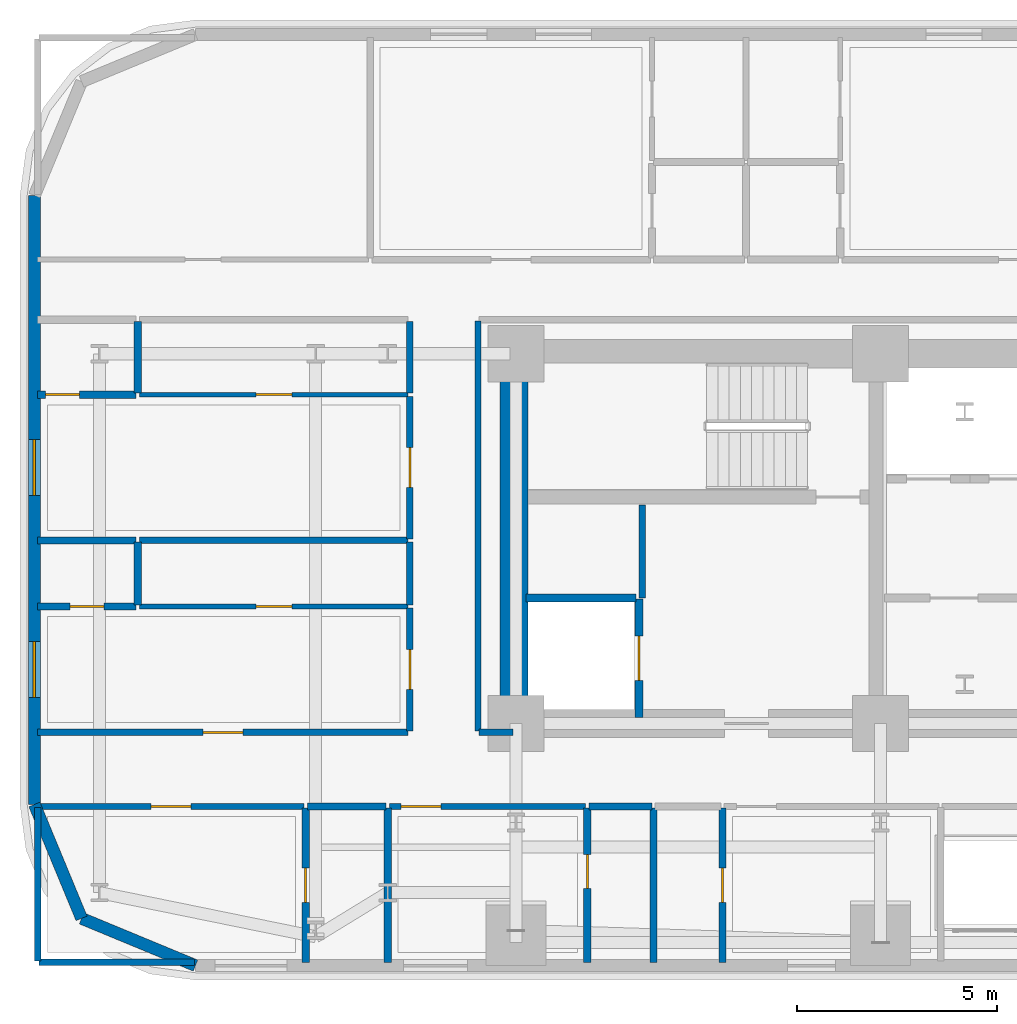
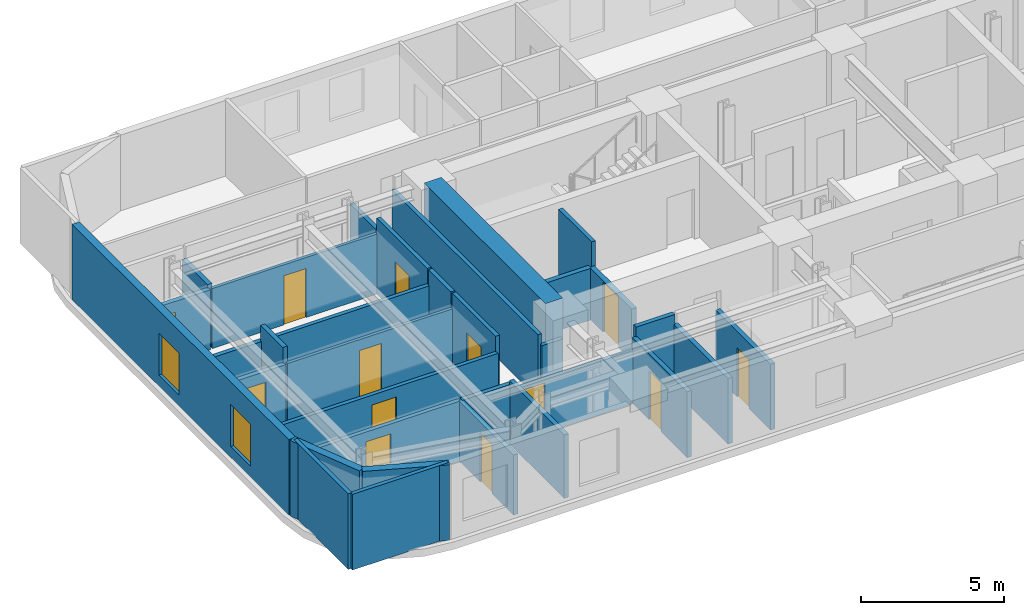
# One storey, part 7 of 16: 33 walls, 13 doors, 2 windows, 15 openings.
"""IFC4 building model written with IfcOpenShell, lengths in metres."""

import ifcopenshell
import ifcopenshell.guid

model = None  # the IFC model being written
_history = None  # IfcOwnerHistory: only IFC2X3 demands one
_inside = {}  # id of a spatial element -> (the spatial element, [elements in it])
_under = {}  # id of a project, library or spatial element -> (it, [spatial elements below it])
_declared = {}  # id of a project -> (the project, [libraries it declares])
_typed = {}  # id of a type object -> (the type object, [elements of that type])
_made_of = {}  # id of a material, layer set ... -> (it, [elements and type objects made of it])


def new_model(schema):
    """Start an empty IFC model of exactly this schema.

    Asked for "IFC4X3", IfcOpenShell would pick the latest addendum, in which some entities
    have other attributes; the version numbers below select the first issue.
    IFC2X3 requires an IfcOwnerHistory on every rooted entity: one is made here for all.
    """
    global model, _history
    if schema == "IFC4X3":
        model = ifcopenshell.file(schema_version=(4, 3, 0, 0))
    else:
        model = ifcopenshell.file(schema=schema)
    _inside.clear()
    _under.clear()
    _declared.clear()
    _typed.clear()
    _made_of.clear()
    _history = None
    if model.schema == "IFC2X3":
        org = make("IfcOrganization", Name="unknown")
        user = make(
            "IfcPersonAndOrganization",
            ThePerson=make("IfcPerson", FamilyName="unknown"),
            TheOrganization=org,
        )
        app = make(
            "IfcApplication",
            ApplicationDeveloper=org,
            Version="unknown",
            ApplicationFullName="unknown",
            ApplicationIdentifier="unknown",
        )
        _history = make(
            "IfcOwnerHistory",
            OwningUser=user,
            OwningApplication=app,
            ChangeAction="ADDED",
            CreationDate=0,
        )
    return model


def make(cls, **values):
    """One entity of the class cls with the attributes given. An attribute that is None is left unset."""
    return model.create_entity(
        cls, **{name: value for name, value in values.items() if value is not None}
    )


def rooted(cls, **values):
    """An entity with a GlobalId (a new one), such as an element, a storey or a relation."""
    return make(cls, GlobalId=ifcopenshell.guid.new(), OwnerHistory=_history, **values)


def si_unit(unit_type, name, prefix=None):
    """IfcSIUnit, for example si_unit("LENGTHUNIT", "METRE", prefix="MILLI")."""
    return make("IfcSIUnit", UnitType=unit_type, Prefix=prefix, Name=name)


def assignment(units):
    """IfcUnitAssignment: the units of a project."""
    return None if units is None else make("IfcUnitAssignment", Units=units)


def point(xyz):
    """IfcCartesianPoint."""
    return None if xyz is None else make("IfcCartesianPoint", Coordinates=xyz)


def direction(xyz):
    """IfcDirection."""
    return None if xyz is None else make("IfcDirection", DirectionRatios=xyz)


def frame(location, z_axis=None, x_axis=None):
    """IfcAxis2Placement3D, a coordinate frame: its origin and axes. An axis left out is left unset."""
    return make(
        "IfcAxis2Placement3D",
        Location=point(location),
        Axis=direction(z_axis),
        RefDirection=direction(x_axis),
    )


def frame_2d(location, x_axis=None):
    """IfcAxis2Placement2D, a coordinate frame in the plane: its origin and x axis."""
    return make(
        "IfcAxis2Placement2D", Location=point(location), RefDirection=direction(x_axis)
    )


def origin():
    """The frame at (0, 0, 0) with its axes left unset."""
    return frame((0.0, 0.0, 0.0))


def place(relative_to, where):
    """IfcLocalPlacement: puts the frame where relative to a parent placement (None: the world)."""
    return make(
        "IfcLocalPlacement", PlacementRelTo=relative_to, RelativePlacement=where
    )


def context(
    kind, dimensions, precision=None, world=None, true_north=None, identifier=None
):
    """IfcGeometricRepresentationContext, for example the 3D "Model" context."""
    return make(
        "IfcGeometricRepresentationContext",
        ContextIdentifier=identifier,
        ContextType=kind,
        CoordinateSpaceDimension=dimensions,
        Precision=precision,
        WorldCoordinateSystem=world,
        TrueNorth=true_north,
    )


def subcontext(parent, identifier, kind, view, scale=None):
    """IfcGeometricRepresentationSubContext, for example "Body" below "Model"."""
    return make(
        "IfcGeometricRepresentationSubContext",
        ContextIdentifier=identifier,
        ContextType=kind,
        ParentContext=parent,
        TargetScale=scale,
        TargetView=view,
    )


def project(units=None, contexts=None):
    """IfcProject with its units and contexts."""
    return rooted(
        "IfcProject",
        Name="project",
        RepresentationContexts=contexts,
        UnitsInContext=assignment(units),
    )


def spatial(cls, under=None, at=None, **own):
    """A site, building, storey or space (cls), placed at a placement, below another one or the project."""
    s = rooted(cls, ObjectPlacement=at, **own)
    if under is not None:
        _under.setdefault(under.id(), (under, []))[1].append(s)
    return s


def profile(cls, at=None, kind="AREA", **sizes):
    """A parametric profile (cls). Its sizes go by their IFC names, for example OverallWidth=200.0."""
    return make(cls, ProfileType=kind, Position=at, **sizes)


def rectangle(**sizes):
    """IfcRectangleProfileDef."""
    return profile("IfcRectangleProfileDef", **sizes)


def extrude(swept, where, along, depth):
    """IfcExtrudedAreaSolid: the profile swept, set in the frame where, extruded along a direction by depth."""
    return make(
        "IfcExtrudedAreaSolid",
        SweptArea=swept,
        Position=where,
        ExtrudedDirection=direction(along),
        Depth=depth,
    )


def shape(context_of_items, identifier, shape_type, items):
    """IfcShapeRepresentation: the items that make up one representation, for example the "Body"."""
    return make(
        "IfcShapeRepresentation",
        ContextOfItems=context_of_items,
        RepresentationIdentifier=identifier,
        RepresentationType=shape_type,
        Items=items,
    )


def material(Name=None, Category=None):
    """IfcMaterial."""
    return make("IfcMaterial", Name=Name, Category=Category)


def layer(
    of_material, thickness, ventilated=None, Name=None, Category=None, Priority=None
):
    """IfcMaterialLayer: one layer of a wall or slab, of a material (None: an air gap)."""
    return make(
        "IfcMaterialLayer",
        Material=of_material,
        LayerThickness=thickness,
        IsVentilated=ventilated,
        Name=Name,
        Category=Category,
        Priority=Priority,
    )


def layer_set(layers, Name=None):
    """IfcMaterialLayerSet."""
    return make("IfcMaterialLayerSet", MaterialLayers=layers, LayerSetName=Name)


def made_of(thing, what):
    """Note that an element or type object is made of a material, layer set ...; save() writes the relation."""
    if what is not None:
        _made_of.setdefault(what.id(), (what, []))[1].append(thing)
    return thing


def type_object(cls, material=None, **own):
    """A type object (cls), such as IfcWallType, which elements share."""
    return made_of(rooted(cls, **own), material)


def element(
    cls,
    number,
    at=None,
    inside=None,
    cuts=None,
    type_object=None,
    material=None,
    context=None,
    identifier="Body",
    shape_type=None,
    held_by="IfcProductDefinitionShape",
    body=None,
    shapes=None,
    **own,
):
    """One element of the class cls, such as IfcWall. Its Tag is "e" and its number.

    at: its placement. inside: the storey or other place that contains it. cuts: it is an
    opening in that element (IfcRelVoidsElement). A single representation is given by context,
    identifier, shape_type and body (its items); several are given by shapes. held_by: the class
    of the entity that holds the representations. save() writes the other relations.
    """
    e = rooted(cls, Tag="e%d" % number, ObjectPlacement=at, **own)
    if body is not None:
        shapes = [shape(context, identifier, shape_type, body)]
    if shapes is not None:
        e.Representation = make(held_by, Representations=shapes)
    if inside is not None:
        _inside.setdefault(inside.id(), (inside, []))[1].append(e)
    if cuts is not None:
        rooted(
            "IfcRelVoidsElement", RelatingBuildingElement=cuts, RelatedOpeningElement=e
        )
    if type_object is not None:
        _typed.setdefault(type_object.id(), (type_object, []))[1].append(e)
    return made_of(e, material)


def fill(opening, filler):
    """IfcRelFillsElement: the door or window that sits in an opening."""
    return rooted(
        "IfcRelFillsElement",
        RelatingOpeningElement=opening,
        RelatedBuildingElement=filler,
    )


def aggregate(whole, parts):
    """IfcRelAggregates: a whole, such as a stair, and the parts it consists of."""
    return rooted("IfcRelAggregates", RelatingObject=whole, RelatedObjects=parts)


def save(model, path):
    """Write the relations noted so far, then the file.

    IfcRelAggregates (storeys below a building ...), IfcRelContainedInSpatialStructure (elements
    in a storey), IfcRelDefinesByType, IfcRelAssociatesMaterial and IfcRelDeclares: one each for
    every whole, place, type object, material and project.
    """
    for whole, parts in _under.values():
        aggregate(whole, parts)
    for where, things in _inside.values():
        rooted(
            "IfcRelContainedInSpatialStructure",
            RelatedElements=things,
            RelatingStructure=where,
        )
    for kind, things in _typed.values():
        rooted("IfcRelDefinesByType", RelatedObjects=things, RelatingType=kind)
    for what, things in _made_of.values():
        rooted("IfcRelAssociatesMaterial", RelatedObjects=things, RelatingMaterial=what)
    for by, libraries in _declared.values():
        rooted("IfcRelDeclares", RelatingContext=by, RelatedDefinitions=libraries)
    model.write(path)


model = new_model("IFC4")

# Units and contexts
model_context = context("Model", 3, precision=1e-05, world=origin(), true_north=direction((0.0, 1.0)))
body_context = subcontext(model_context, "Body", "Model", "MODEL_VIEW")
ifc_project = project(units=[si_unit("LENGTHUNIT", "METRE"), si_unit("AREAUNIT", "SQUARE_METRE"), si_unit("VOLUMEUNIT", "CUBIC_METRE"), si_unit("PLANEANGLEUNIT", "RADIAN"), si_unit("MASSUNIT", "GRAM", prefix="KILO")], contexts=[model_context])

# Site, building, storey
site_placement = place(None, origin())
site = spatial("IfcSite", under=ifc_project, at=site_placement, CompositionType="ELEMENT")
building_placement = place(site_placement, origin())
building = spatial("IfcBuilding", under=site, at=building_placement, Name="Zarnavel Station Tower", CompositionType="ELEMENT")
storey_placement = place(building_placement, frame((0.0, 0.0, 39.5)))
storey = spatial("IfcBuildingStorey", under=building, at=storey_placement, Name="L10", CompositionType="ELEMENT", Elevation=39.5)

# Wall
ifc_material_1 = material(Name="Concrete C60/75", Category="concrete")
ifc_layer_1 = layer(ifc_material_1, 0.699951171875)
ifc_layer_set_1 = layer_set([ifc_layer_1], Name="CW_700")
wall_type_1 = type_object("IfcWallType", Name="CW_700", PredefinedType="SHEAR", material=ifc_layer_set_1)
wall_1_placement = place(storey_placement, frame((12.14990234375, 28.169921875, 0.0), z_axis=(0.0, 0.0, 1.0), x_axis=(0.0, 1.0, 0.0)))
element("IfcWall", 1, at=wall_1_placement, inside=storey, type_object=wall_type_1, Name="L10 Rear Core Shear Wall W", PredefinedType="SHEAR", context=body_context, shape_type="SweptSolid", body=[
    extrude(rectangle(XDim=8.530029296875, YDim=0.699951171875, at=frame_2d((4.26513671875, 0.0))), origin(), (0.0, 0.0, 1.0), 3.5),
])

# Wall, openings, windows
ifc_material_2 = material(Name="Precast concrete C45/55 (Dark Basalt Finish)", Category="masonry")
ifc_layer_2 = layer(ifc_material_2, 0.300048828125)
ifc_layer_set_2 = layer_set([ifc_layer_2], Name="EW_BASALT_300")
wall_type_2 = type_object("IfcWallType", Name="EW_BASALT_300", PredefinedType="SOLIDWALL", material=ifc_layer_set_2)
wall_2_placement = place(storey_placement, frame((0.179931640625, 25.800048828125, 0.0), z_axis=(0.0, 0.0, 1.0), x_axis=(0.0, 1.0, 0.0)))
wall_2 = element("IfcWall", 2, at=wall_2_placement, inside=storey, type_object=wall_type_2, Name="L10 Exterior Basalt Masonry Frame Wall 09", PredefinedType="SOLIDWALL", context=body_context, shape_type="SweptSolid", body=[
    extrude(rectangle(XDim=15.199951171875, YDim=0.300048828125, at=frame_2d((7.60009765625, 0.0))), origin(), (0.0, 0.0, 1.0), 3.239990234375),
])
opening_1_placement = place(wall_2_placement, frame((2.67041015625, 0.0, 0.47998046875)))
opening_1 = element("IfcOpeningElement", 3, at=opening_1_placement, cuts=wall_2, Name="Opening WN01", PredefinedType="OPENING", context=body_context, shape_type="SweptSolid", body=[
    extrude(rectangle(XDim=1.39990234375, YDim=1.800048828125, at=frame_2d((0.699951171875, 0.89990234375))), frame((0.0, 0.159912109375, 0.0), z_axis=(0.0, -1.0, 0.0), x_axis=(1.0, 0.0, 0.0)), (0.0, 0.0, 1.0), 0.320068359375),
])
opening_2_placement = place(wall_2_placement, frame((7.708984375, 0.0, 0.47998046875)))
opening_2 = element("IfcOpeningElement", 4, at=opening_2_placement, cuts=wall_2, Name="Opening WN01", PredefinedType="OPENING", context=body_context, shape_type="SweptSolid", body=[
    extrude(rectangle(XDim=1.39990234375, YDim=1.800048828125, at=frame_2d((0.699951171875, 0.89990234375))), frame((0.0, 0.159912109375, 0.0), z_axis=(0.0, -1.0, 0.0), x_axis=(1.0, 0.0, 0.0)), (0.0, 0.0, 1.0), 0.320068359375),
])
ifc_material_3 = material(Name="Thermally Broken Black Aluminium and Low-E Dark Glass", Category="aluminium")
window_type = type_object("IfcWindowType", Name="WN_1400x1800", PartitioningType="DOUBLE_PANEL_VERTICAL", PredefinedType="WINDOW", material=ifc_material_3)
window_1_placement = place(opening_1_placement, origin())
window_1 = element("IfcWindow", 5, at=window_1_placement, inside=storey, type_object=window_type, Name="L10 Recessed Facade Window 01", OverallHeight=1.800048828125, OverallWidth=1.39990234375, PartitioningType="SINGLE_PANEL", PredefinedType="WINDOW", context=body_context, shape_type="SweptSolid", body=[
    extrude(rectangle(XDim=1.39990234375, YDim=1.800048828125, at=frame_2d((0.699951171875, 0.89990234375))), frame((0.0, 0.030029296875, 0.0), z_axis=(0.0, -1.0, 0.0), x_axis=(1.0, 0.0, 0.0)), (0.0, 0.0, 1.0), 0.06005859375),
])
fill(opening_1, window_1)
window_2_placement = place(opening_2_placement, origin())
window_2 = element("IfcWindow", 6, at=window_2_placement, inside=storey, type_object=window_type, Name="L10 Recessed Facade Window 02", OverallHeight=1.800048828125, OverallWidth=1.39990234375, PartitioningType="SINGLE_PANEL", PredefinedType="WINDOW", context=body_context, shape_type="SweptSolid", body=[
    extrude(rectangle(XDim=1.39990234375, YDim=1.800048828125, at=frame_2d((0.699951171875, 0.89990234375))), frame((0.0, 0.030029296875, 0.0), z_axis=(0.0, -1.0, 0.0), x_axis=(1.0, 0.0, 0.0)), (0.0, 0.0, 1.0), 0.06005859375),
])
fill(opening_2, window_2)

# Walls
for number, where, z_axis, x_axis, name in (
    (7, (1.357421875, 22.95751953125, 0.0), (0.0, 0.0, 1.0), (-0.382704529509, 0.923870793506, 0.0), "L10 Exterior Basalt Masonry Frame Wall 10"),
    (8, (4.199951171875, 21.780029296875, 0.0), (0.0, 0.0, 1.0), (-0.923870793506, 0.382704529509, 0.0), "L10 Exterior Basalt Masonry Frame Wall 11"),
):
    element("IfcWall", number, at=place(storey_placement, frame(where, z_axis=z_axis, x_axis=x_axis)), inside=storey, type_object=wall_type_2, Name=name, PredefinedType="SOLIDWALL", context=body_context, shape_type="SweptSolid", body=[
        extrude(rectangle(XDim=3.07666015625, YDim=0.300048828125, at=frame_2d((1.538330078125, 0.0))), origin(), (0.0, 0.0, 1.0), 3.239990234375),
    ])

# Wall, opening, door
ifc_material_4 = material(Name="Gypsum Twin-Stud Acoustic Fire Partition", Category="concrete")
ifc_layer_3 = layer(ifc_material_4, 0.159912109375)
ifc_layer_set_3 = layer_set([ifc_layer_3], Name="PT_DEMISE_160")
wall_type_3 = type_object("IfcWallType", Name="PT_DEMISE_160", PredefinedType="PARTITIONING", material=ifc_layer_set_3)
wall_3_placement = place(storey_placement, frame((0.260009765625, 27.60009765625, 0.0), z_axis=(0.0, 0.0, 1.0), x_axis=(1.0, 0.0, 0.0)))
wall_3 = element("IfcWall", 9, at=wall_3_placement, inside=storey, type_object=wall_type_3, Name="L10 Partition COR-S-FNW1R", PredefinedType="PARTITIONING", context=body_context, shape_type="SweptSolid", body=[
    extrude(rectangle(XDim=9.25, YDim=0.159912109375, at=frame_2d((4.625, 0.0))), origin(), (0.0, 0.0, 1.0), 2.570068359375),
])
opening_3_placement = place(wall_3_placement, frame((4.125, 0.0, 0.0)))
opening_3 = element("IfcOpeningElement", 10, at=opening_3_placement, cuts=wall_3, Name="Opening FD02", PredefinedType="OPENING", context=body_context, shape_type="SweptSolid", body=[
    extrude(rectangle(XDim=1.0, YDim=2.14990234375, at=frame_2d((0.5, 1.074951171875))), frame((0.0, 0.08984375, 0.0), z_axis=(0.0, -1.0, 0.0), x_axis=(1.0, 0.0, 0.0)), (0.0, 0.0, 1.0), 0.179931640625),
])
ifc_material_5 = material(Name="Painted Galvanised Steel and Hardwood Leaf", Category="steel")
door_type_1 = type_object("IfcDoorType", Name="ID_ENTRY_1000", OperationType="NOTDEFINED", PredefinedType="DOOR", material=ifc_material_5)
door_1_placement = place(opening_3_placement, origin())
door_1 = element("IfcDoor", 11, at=door_1_placement, inside=storey, type_object=door_type_1, Name="L10 Door COR-S-FNW1R", OperationType="SINGLE_SWING_LEFT", OverallHeight=2.14990234375, OverallWidth=1.0, PredefinedType="DOOR", context=body_context, shape_type="SweptSolid", body=[
    extrude(rectangle(XDim=1.0, YDim=2.14990234375, at=frame_2d((0.5, 1.074951171875))), frame((0.0, 0.02490234375, 0.0), z_axis=(0.0, -1.0, 0.0), x_axis=(1.0, 0.0, 0.0)), (0.0, 0.0, 1.0), 0.050048828125),
])
fill(opening_3, door_1)

wall_4_placement = place(storey_placement, frame((0.260009765625, 25.75, 0.0), z_axis=(0.0, 0.0, 1.0), x_axis=(1.0, 0.0, 0.0)))
wall_4 = element("IfcWall", 12, at=wall_4_placement, inside=storey, type_object=wall_type_3, Name="L10 Partition COR-S-HW1R", PredefinedType="PARTITIONING", context=body_context, shape_type="SweptSolid", body=[
    extrude(rectangle(XDim=6.64990234375, YDim=0.159912109375, at=frame_2d((3.324951171875, 0.0))), origin(), (0.0, 0.0, 1.0), 2.570068359375),
])
opening_4_placement = place(wall_4_placement, frame((2.824951171875, 0.0, 0.0)))
opening_4 = element("IfcOpeningElement", 13, at=opening_4_placement, cuts=wall_4, Name="Opening FD02", PredefinedType="OPENING", context=body_context, shape_type="SweptSolid", body=[
    extrude(rectangle(XDim=1.0, YDim=2.14990234375, at=frame_2d((0.5, 1.074951171875))), frame((0.0, 0.08984375, 0.0), z_axis=(0.0, -1.0, 0.0), x_axis=(1.0, 0.0, 0.0)), (0.0, 0.0, 1.0), 0.179931640625),
])
door_2_placement = place(opening_4_placement, origin())
door_2 = element("IfcDoor", 14, at=door_2_placement, inside=storey, type_object=door_type_1, Name="L10 Door COR-S-HW1R", OperationType="SINGLE_SWING_LEFT", OverallHeight=2.14990234375, OverallWidth=1.0, PredefinedType="DOOR", context=body_context, shape_type="SweptSolid", body=[
    extrude(rectangle(XDim=1.0, YDim=2.14990234375, at=frame_2d((0.5, 1.074951171875))), frame((0.0, 0.02490234375, 0.0), z_axis=(0.0, -1.0, 0.0), x_axis=(1.0, 0.0, 0.0)), (0.0, 0.0, 1.0), 0.050048828125),
])
fill(opening_4, door_2)

wall_5_placement = place(storey_placement, frame((9.0400390625, 25.75, 0.0), z_axis=(0.0, 0.0, 1.0), x_axis=(1.0, 0.0, 0.0)))
wall_5 = element("IfcWall", 15, at=wall_5_placement, inside=storey, type_object=wall_type_3, Name="L10 Partition COR-S-HW2R", PredefinedType="PARTITIONING", context=body_context, shape_type="SweptSolid", body=[
    extrude(rectangle(XDim=4.89892578125, YDim=0.159912109375, at=frame_2d((2.449462890625, 0.0))), origin(), (0.0, 0.0, 1.0), 2.280029296875),
])
opening_5_placement = place(wall_5_placement, frame((0.290771484375, 0.0, 0.0)))
opening_5 = element("IfcOpeningElement", 16, at=opening_5_placement, cuts=wall_5, Name="Opening FD02", PredefinedType="OPENING", context=body_context, shape_type="SweptSolid", body=[
    extrude(rectangle(XDim=1.0, YDim=2.14990234375, at=frame_2d((0.5, 1.074951171875))), frame((0.0, 0.08984375, 0.0), z_axis=(0.0, -1.0, 0.0), x_axis=(1.0, 0.0, 0.0)), (0.0, 0.0, 1.0), 0.179931640625),
])
door_3_placement = place(opening_5_placement, origin())
door_3 = element("IfcDoor", 17, at=door_3_placement, inside=storey, type_object=door_type_1, Name="L10 Door COR-S-HW2R", OperationType="SINGLE_SWING_RIGHT", OverallHeight=2.14990234375, OverallWidth=1.0, PredefinedType="DOOR", context=body_context, shape_type="SweptSolid", body=[
    extrude(rectangle(XDim=1.0, YDim=2.14990234375, at=frame_2d((0.5, 1.074951171875))), frame((0.0, 0.02490234375, 0.0), z_axis=(0.0, -1.0, 0.0), x_axis=(1.0, 0.0, 0.0)), (0.0, 0.0, 1.0), 0.050048828125),
])
fill(opening_5, door_3)

wall_6_placement = place(storey_placement, frame((9.550048828125, 27.639892578125, 0.0), z_axis=(0.0, 0.0, 1.0), x_axis=(0.0, 1.0, 0.0)))
wall_6 = element("IfcWall", 18, at=wall_6_placement, inside=storey, type_object=wall_type_3, Name="L10 Partition COR-W-FNW1R", PredefinedType="PARTITIONING", context=body_context, shape_type="SweptSolid", body=[
    extrude(rectangle(XDim=3.06103515625, YDim=0.159912109375, at=frame_2d((1.530517578125, 0.0))), origin(), (0.0, 0.0, 1.0), 3.239990234375),
])
opening_6_placement = place(wall_6_placement, frame((1.030517578125, 0.0, 0.0)))
opening_6 = element("IfcOpeningElement", 19, at=opening_6_placement, cuts=wall_6, Name="Opening FD02", PredefinedType="OPENING", context=body_context, shape_type="SweptSolid", body=[
    extrude(rectangle(XDim=1.0, YDim=2.14990234375, at=frame_2d((0.5, 1.074951171875))), frame((0.0, 0.08984375, 0.0), z_axis=(0.0, -1.0, 0.0), x_axis=(1.0, 0.0, 0.0)), (0.0, 0.0, 1.0), 0.179931640625),
])
door_4_placement = place(opening_6_placement, origin())
door_4 = element("IfcDoor", 20, at=door_4_placement, inside=storey, type_object=door_type_1, Name="L10 Door COR-W-FNW1R", OperationType="SINGLE_SWING_LEFT", OverallHeight=2.14990234375, OverallWidth=1.0, PredefinedType="DOOR", context=body_context, shape_type="SweptSolid", body=[
    extrude(rectangle(XDim=1.0, YDim=2.14990234375, at=frame_2d((0.5, 1.074951171875))), frame((0.0, 0.02490234375, 0.0), z_axis=(0.0, -1.0, 0.0), x_axis=(1.0, 0.0, 0.0)), (0.0, 0.0, 1.0), 0.050048828125),
])
fill(opening_6, door_4)

# Wall
wall_7_placement = place(storey_placement, frame((9.550048828125, 30.781005859375, 0.0), z_axis=(0.0, 0.0, 1.0), x_axis=(0.0, 1.0, 0.0)))
element("IfcWall", 21, at=wall_7_placement, inside=storey, type_object=wall_type_3, Name="L10 Partition COR-W-FNW1S", PredefinedType="PARTITIONING", context=body_context, shape_type="SweptSolid", body=[
    extrude(rectangle(XDim=1.570068359375, YDim=0.159912109375, at=frame_2d((0.78515625, 0.0))), origin(), (0.0, 0.0, 1.0), 3.239990234375),
])

# Wall, opening, door
wall_8_placement = place(storey_placement, frame((9.550048828125, 32.430908203125, 0.0), z_axis=(0.0, 0.0, 1.0), x_axis=(0.0, 1.0, 0.0)))
wall_8 = element("IfcWall", 22, at=wall_8_placement, inside=storey, type_object=wall_type_3, Name="L10 Partition COR-W-FNW2R", PredefinedType="PARTITIONING", context=body_context, shape_type="SweptSolid", body=[
    extrude(rectangle(XDim=3.55615234375, YDim=0.159912109375, at=frame_2d((1.778076171875, 0.0))), origin(), (0.0, 0.0, 1.0), 3.239990234375),
])
opening_7_placement = place(wall_8_placement, frame((1.278076171875, 0.0, 0.0)))
opening_7 = element("IfcOpeningElement", 23, at=opening_7_placement, cuts=wall_8, Name="Opening FD02", PredefinedType="OPENING", context=body_context, shape_type="SweptSolid", body=[
    extrude(rectangle(XDim=1.0, YDim=2.14990234375, at=frame_2d((0.5, 1.074951171875))), frame((0.0, 0.08984375, 0.0), z_axis=(0.0, -1.0, 0.0), x_axis=(1.0, 0.0, 0.0)), (0.0, 0.0, 1.0), 0.179931640625),
])
door_5_placement = place(opening_7_placement, origin())
door_5 = element("IfcDoor", 24, at=door_5_placement, inside=storey, type_object=door_type_1, Name="L10 Door COR-W-FNW2R", OperationType="SINGLE_SWING_RIGHT", OverallHeight=2.14990234375, OverallWidth=1.0, PredefinedType="DOOR", context=body_context, shape_type="SweptSolid", body=[
    extrude(rectangle(XDim=1.0, YDim=2.14990234375, at=frame_2d((0.5, 1.074951171875))), frame((0.0, 0.02490234375, 0.0), z_axis=(0.0, -1.0, 0.0), x_axis=(1.0, 0.0, 0.0)), (0.0, 0.0, 1.0), 0.050048828125),
])
fill(opening_7, door_5)

# Walls
wall_9_placement = place(storey_placement, frame((9.550048828125, 36.06689453125, 0.0), z_axis=(0.0, 0.0, 1.0), x_axis=(0.0, 1.0, 0.0)))
element("IfcWall", 25, at=wall_9_placement, inside=storey, type_object=wall_type_3, Name="L10 Partition COR-W-FNW2S", PredefinedType="PARTITIONING", context=body_context, shape_type="SweptSolid", body=[
    extrude(rectangle(XDim=1.793212890625, YDim=0.159912109375, at=frame_2d((0.896484375, 0.0))), origin(), (0.0, 0.0, 1.0), 2.719970703125),
])
wall_10_placement = place(storey_placement, frame((2.800048828125, 32.39111328125, 0.0), z_axis=(0.0, 0.0, 1.0), x_axis=(1.0, 0.0, 0.0)))
element("IfcWall", 26, at=wall_10_placement, inside=storey, type_object=wall_type_3, Name="L10 Partition FNW1S-FNW2R", PredefinedType="PARTITIONING", context=body_context, shape_type="SweptSolid", body=[
    extrude(rectangle(XDim=6.7099609375, YDim=0.159912109375, at=frame_2d((3.35498046875, 0.0))), origin(), (0.0, 0.0, 1.0), 2.570068359375),
])
wall_11_placement = place(storey_placement, frame((15.35009765625, 30.9599609375, 0.0), z_axis=(0.0, 0.0, 1.0), x_axis=(0.0, 1.0, 0.0)))
element("IfcWall", 27, at=wall_11_placement, inside=storey, type_object=wall_type_3, Name="L10 Enclosure Wall FFL1", PredefinedType="PARTITIONING", context=body_context, shape_type="SweptSolid", body=[
    extrude(rectangle(XDim=2.31005859375, YDim=0.159912109375, at=frame_2d((1.155029296875, 0.0))), origin(), (0.0, 0.0, 1.0), 3.239990234375),
])
wall_12_placement = place(storey_placement, frame((11.280029296875, 27.60009765625, 0.0), z_axis=(0.0, 0.0, 1.0), x_axis=(1.0, 0.0, 0.0)))
element("IfcWall", 28, at=wall_12_placement, inside=storey, type_object=wall_type_3, Name="L10 Enclosure Wall COR-S", PredefinedType="PARTITIONING", context=body_context, shape_type="SweptSolid", body=[
    extrude(rectangle(XDim=0.840087890625, YDim=0.159912109375, at=frame_2d((0.419921875, 0.0))), origin(), (0.0, 0.0, 1.0), 2.280029296875),
])
wall_13_placement = place(storey_placement, frame((11.25, 27.6298828125, 0.0), z_axis=(0.0, 0.0, 1.0), x_axis=(0.0, 1.0, 0.0)))
element("IfcWall", 29, at=wall_13_placement, inside=storey, type_object=wall_type_3, Name="L10 Enclosure Wall COR-W", PredefinedType="PARTITIONING", context=body_context, shape_type="SweptSolid", body=[
    extrude(rectangle(XDim=10.240234375, YDim=0.159912109375, at=frame_2d((5.1201171875, 0.0))), origin(), (0.0, 0.0, 1.0), 2.719970703125),
])
wall_14_placement = place(storey_placement, frame((0.2900390625, 21.860107421875, 0.0), z_axis=(0.0, 0.0, 1.0), x_axis=(1.0, 0.0, 0.0)))
element("IfcWall", 30, at=wall_14_placement, inside=storey, type_object=wall_type_3, Name="L10 Enclosure Wall HW1R", PredefinedType="PARTITIONING", context=body_context, shape_type="SweptSolid", body=[
    extrude(rectangle(XDim=3.8798828125, YDim=0.159912109375, at=frame_2d((1.93994140625, 0.0))), origin(), (0.0, 0.0, 1.0), 3.239990234375),
])
wall_15_placement = place(storey_placement, frame((0.260009765625, 21.889892578125, 0.0), z_axis=(0.0, 0.0, 1.0), x_axis=(0.0, 1.0, 0.0)))
element("IfcWall", 31, at=wall_15_placement, inside=storey, type_object=wall_type_3, Name="L10 Enclosure Wall HW1R", PredefinedType="PARTITIONING", context=body_context, shape_type="SweptSolid", body=[
    extrude(rectangle(XDim=3.830078125, YDim=0.159912109375, at=frame_2d((1.9150390625, 0.0))), origin(), (0.0, 0.0, 1.0), 3.239990234375),
])

# Wall, opening, door
ifc_material_6 = material(Name="Gypsum Metal-Stud Interior Partition", Category="concrete")
ifc_layer_4 = layer(ifc_material_6, 0.1201171875)
ifc_layer_set_4 = layer_set([ifc_layer_4], Name="PT_ROOM_120")
wall_type_4 = type_object("IfcWallType", Name="PT_ROOM_120", PredefinedType="PARTITIONING", material=ifc_layer_set_4)
wall_16_placement = place(storey_placement, frame((2.800048828125, 30.740966796875, 0.0), z_axis=(0.0, 0.0, 1.0), x_axis=(1.0, 0.0, 0.0)))
wall_16 = element("IfcWall", 32, at=wall_16_placement, inside=storey, type_object=wall_type_4, Name="L10 Partition FNW1R-FNW1S", PredefinedType="PARTITIONING", context=body_context, shape_type="SweptSolid", body=[
    extrude(rectangle(XDim=6.7099609375, YDim=0.1201171875, at=frame_2d((3.35498046875, 0.0))), origin(), (0.0, 0.0, 1.0), 2.570068359375),
])
opening_8_placement = place(wall_16_placement, frame((2.905029296875, 0.0, 0.0)))
opening_8 = element("IfcOpeningElement", 33, at=opening_8_placement, cuts=wall_16, Name="Opening ID01", PredefinedType="OPENING", context=body_context, shape_type="SweptSolid", body=[
    extrude(rectangle(XDim=0.89990234375, YDim=2.10009765625, at=frame_2d((0.449951171875, 1.050048828125))), frame((0.0, 0.070068359375, 0.0), z_axis=(0.0, -1.0, 0.0), x_axis=(1.0, 0.0, 0.0)), (0.0, 0.0, 1.0), 0.14013671875),
])
ifc_material_7 = material(Name="Painted Galvanised Steel and Hardwood Leaf", Category="steel")
door_type_2 = type_object("IfcDoorType", Name="ID_ROOM_900", OperationType="NOTDEFINED", PredefinedType="DOOR", material=ifc_material_7)
door_6_placement = place(opening_8_placement, origin())
door_6 = element("IfcDoor", 34, at=door_6_placement, inside=storey, type_object=door_type_2, Name="L10 Door FNW1R-FNW1S", OperationType="SINGLE_SWING_RIGHT", OverallHeight=2.10009765625, OverallWidth=0.89990234375, PredefinedType="DOOR", context=body_context, shape_type="SweptSolid", body=[
    extrude(rectangle(XDim=0.89990234375, YDim=2.10009765625, at=frame_2d((0.449951171875, 1.050048828125))), frame((0.0, 0.02490234375, 0.0), z_axis=(0.0, -1.0, 0.0), x_axis=(1.0, 0.0, 0.0)), (0.0, 0.0, 1.0), 0.050048828125),
])
fill(opening_8, door_6)

wall_17_placement = place(storey_placement, frame((2.800048828125, 36.027099609375, 0.0), z_axis=(0.0, 0.0, 1.0), x_axis=(1.0, 0.0, 0.0)))
wall_17 = element("IfcWall", 35, at=wall_17_placement, inside=storey, type_object=wall_type_4, Name="L10 Partition FNW2R-FNW2S", PredefinedType="PARTITIONING", context=body_context, shape_type="SweptSolid", body=[
    extrude(rectangle(XDim=6.7099609375, YDim=0.1201171875, at=frame_2d((3.35498046875, 0.0))), origin(), (0.0, 0.0, 1.0), 2.570068359375),
])
opening_9_placement = place(wall_17_placement, frame((2.905029296875, 0.0, 0.0)))
opening_9 = element("IfcOpeningElement", 36, at=opening_9_placement, cuts=wall_17, Name="Opening ID01", PredefinedType="OPENING", context=body_context, shape_type="SweptSolid", body=[
    extrude(rectangle(XDim=0.89990234375, YDim=2.10009765625, at=frame_2d((0.449951171875, 1.050048828125))), frame((0.0, 0.070068359375, 0.0), z_axis=(0.0, -1.0, 0.0), x_axis=(1.0, 0.0, 0.0)), (0.0, 0.0, 1.0), 0.14013671875),
])
door_7_placement = place(opening_9_placement, origin())
door_7 = element("IfcDoor", 37, at=door_7_placement, inside=storey, type_object=door_type_2, Name="L10 Door FNW2R-FNW2S", OperationType="SINGLE_SWING_RIGHT", OverallHeight=2.10009765625, OverallWidth=0.89990234375, PredefinedType="DOOR", context=body_context, shape_type="SweptSolid", body=[
    extrude(rectangle(XDim=0.89990234375, YDim=2.10009765625, at=frame_2d((0.449951171875, 1.050048828125))), frame((0.0, 0.02490234375, 0.0), z_axis=(0.0, -1.0, 0.0), x_axis=(1.0, 0.0, 0.0)), (0.0, 0.0, 1.0), 0.050048828125),
])
fill(opening_9, door_7)

ifc_material_8 = material(Name="Precast concrete C45/55 (Fire Shaft Blockwork)", Category="masonry")
ifc_layer_5 = layer(ifc_material_8, 0.199951171875)
ifc_layer_set_5 = layer_set([ifc_layer_5], Name="PT_SHAFT_200")
wall_type_5 = type_object("IfcWallType", Name="PT_SHAFT_200", PredefinedType="PARTITIONING", material=ifc_layer_set_5)
wall_18_placement = place(storey_placement, frame((15.27001953125, 27.969970703125, 0.0), z_axis=(0.0, 0.0, 1.0), x_axis=(0.0, 1.0, 0.0)))
wall_18 = element("IfcWall", 38, at=wall_18_placement, inside=storey, type_object=wall_type_5, Name="L10 Lift FFL-01 Shaft Front Wall", PredefinedType="PARTITIONING", context=body_context, shape_type="SweptSolid", body=[
    extrude(rectangle(XDim=2.9599609375, YDim=0.199951171875, at=frame_2d((1.47998046875, 0.0))), origin(), (0.0, 0.0, 1.0), 2.2119140625),
])
opening_10_placement = place(wall_18_placement, frame((0.929931640625, 0.0, 0.0)))
opening_10 = element("IfcOpeningElement", 39, at=opening_10_placement, cuts=wall_18, Name="Opening LD01", PredefinedType="OPENING", context=body_context, shape_type="SweptSolid", body=[
    extrude(rectangle(XDim=1.10009765625, YDim=2.14990234375, at=frame_2d((0.550048828125, 1.074951171875))), frame((0.0, 0.10986328125, 0.0), z_axis=(0.0, -1.0, 0.0), x_axis=(1.0, 0.0, 0.0)), (0.0, 0.0, 1.0), 0.219970703125),
])
ifc_material_9 = material(Name="Painted Galvanised Steel and Hardwood Leaf", Category="steel")
door_type_3 = type_object("IfcDoorType", Name="LD_FF_1100", OperationType="DOUBLE_DOOR_SLIDING", PredefinedType="DOOR", material=ifc_material_9)
door_8_placement = place(opening_10_placement, origin())
door_8 = element("IfcDoor", 40, at=door_8_placement, inside=storey, type_object=door_type_3, Name="L10 Lift FFL-01 Sliding Landing Door", OperationType="DOUBLE_DOOR_SLIDING", OverallHeight=2.14990234375, OverallWidth=1.10009765625, PredefinedType="DOOR", context=body_context, shape_type="SweptSolid", body=[
    extrude(rectangle(XDim=1.10009765625, YDim=2.14990234375, at=frame_2d((0.550048828125, 1.074951171875))), frame((0.0, 0.02490234375, 0.0), z_axis=(0.0, -1.0, 0.0), x_axis=(1.0, 0.0, 0.0)), (0.0, 0.0, 1.0), 0.050048828125),
])
fill(opening_10, door_8)

# Walls
wall_19_placement = place(storey_placement, frame((12.449951171875, 30.949951171875, 0.0), z_axis=(0.0, 0.0, 1.0), x_axis=(1.0, 0.0, 0.0)))
element("IfcWall", 41, at=wall_19_placement, inside=storey, type_object=wall_type_5, Name="L10 Lift FFL-01 North Shaft Wall", PredefinedType="PARTITIONING", context=body_context, shape_type="SweptSolid", body=[
    extrude(rectangle(XDim=2.75, YDim=0.199951171875, at=frame_2d((1.375, 0.0))), origin(), (0.0, 0.0, 1.0), 2.2119140625),
])
ifc_material_10 = material(Name="Moisture-Resistant Plumbing Chase Wall", Category="concrete")
ifc_layer_6 = layer(ifc_material_10, 0.179931640625)
ifc_layer_set_6 = layer_set([ifc_layer_6], Name="PW_PLUMB_180")
wall_type_6 = type_object("IfcWallType", Name="PW_PLUMB_180", PredefinedType="PLUMBINGWALL", material=ifc_layer_set_6)
wall_20_placement = place(storey_placement, frame((6.989990234375, 25.75, 0.0), z_axis=(0.0, 0.0, 1.0), x_axis=(1.0, 0.0, 0.0)))
element("IfcWall", 42, at=wall_20_placement, inside=storey, type_object=wall_type_6, Name="L10 Partition COR-S-HW1B", PredefinedType="PLUMBINGWALL", context=body_context, shape_type="SweptSolid", body=[
    extrude(rectangle(XDim=1.969970703125, YDim=0.179931640625, at=frame_2d((0.98486328125, 0.0))), origin(), (0.0, 0.0, 1.0), 2.570068359375),
])
wall_21_placement = place(storey_placement, frame((14.01904296875, 25.75, 0.0), z_axis=(0.0, 0.0, 1.0), x_axis=(1.0, 0.0, 0.0)))
element("IfcWall", 43, at=wall_21_placement, inside=storey, type_object=wall_type_6, Name="L10 Partition COR-S-HW2B", PredefinedType="PLUMBINGWALL", context=body_context, shape_type="SweptSolid", body=[
    extrude(rectangle(XDim=1.570068359375, YDim=0.179931640625, at=frame_2d((0.78515625, 0.0))), origin(), (0.0, 0.0, 1.0), 3.239990234375),
])

# Wall, opening, door
wall_22_placement = place(storey_placement, frame((0.260009765625, 30.740966796875, 0.0), z_axis=(0.0, 0.0, 1.0), x_axis=(1.0, 0.0, 0.0)))
wall_22 = element("IfcWall", 44, at=wall_22_placement, inside=storey, type_object=wall_type_6, Name="L10 Partition FNW1R-FNW1B", PredefinedType="PLUMBINGWALL", context=body_context, shape_type="SweptSolid", body=[
    extrude(rectangle(XDim=2.4599609375, YDim=0.179931640625, at=frame_2d((1.22998046875, 0.0))), origin(), (0.0, 0.0, 1.0), 2.570068359375),
])
opening_11_placement = place(wall_22_placement, frame((0.804931640625, 0.0, 0.0)))
opening_11 = element("IfcOpeningElement", 45, at=opening_11_placement, cuts=wall_22, Name="Opening ID02", PredefinedType="OPENING", context=body_context, shape_type="SweptSolid", body=[
    extrude(rectangle(XDim=0.85009765625, YDim=2.10009765625, at=frame_2d((0.425048828125, 1.050048828125))), frame((0.0, 0.099853515625, 0.0), z_axis=(0.0, -1.0, 0.0), x_axis=(1.0, 0.0, 0.0)), (0.0, 0.0, 1.0), 0.199951171875),
])
ifc_material_11 = material(Name="Painted Galvanised Steel and Hardwood Leaf", Category="steel")
door_type_4 = type_object("IfcDoorType", Name="ID_BATH_850", OperationType="NOTDEFINED", PredefinedType="DOOR", material=ifc_material_11)
door_9_placement = place(opening_11_placement, origin())
door_9 = element("IfcDoor", 46, at=door_9_placement, inside=storey, type_object=door_type_4, Name="L10 Door FNW1R-FNW1B", OperationType="SINGLE_SWING_LEFT", OverallHeight=2.10009765625, OverallWidth=0.85009765625, PredefinedType="DOOR", context=body_context, shape_type="SweptSolid", body=[
    extrude(rectangle(XDim=0.85009765625, YDim=2.10009765625, at=frame_2d((0.425048828125, 1.050048828125))), frame((0.0, 0.02490234375, 0.0), z_axis=(0.0, -1.0, 0.0), x_axis=(1.0, 0.0, 0.0)), (0.0, 0.0, 1.0), 0.050048828125),
])
fill(opening_11, door_9)

# Walls
wall_23_placement = place(storey_placement, frame((2.760009765625, 30.781005859375, 0.0), z_axis=(0.0, 0.0, 1.0), x_axis=(0.0, 1.0, 0.0)))
element("IfcWall", 47, at=wall_23_placement, inside=storey, type_object=wall_type_6, Name="L10 Partition FNW1B-FNW1S", PredefinedType="PLUMBINGWALL", context=body_context, shape_type="SweptSolid", body=[
    extrude(rectangle(XDim=1.570068359375, YDim=0.179931640625, at=frame_2d((0.78515625, 0.0))), origin(), (0.0, 0.0, 1.0), 3.239990234375),
])
wall_24_placement = place(storey_placement, frame((0.260009765625, 32.39111328125, 0.0), z_axis=(0.0, 0.0, 1.0), x_axis=(1.0, 0.0, 0.0)))
element("IfcWall", 48, at=wall_24_placement, inside=storey, type_object=wall_type_6, Name="L10 Partition FNW1B-FNW2R", PredefinedType="PLUMBINGWALL", context=body_context, shape_type="SweptSolid", body=[
    extrude(rectangle(XDim=2.4599609375, YDim=0.179931640625, at=frame_2d((1.22998046875, 0.0))), origin(), (0.0, 0.0, 1.0), 2.570068359375),
])

# Wall, opening, door
wall_25_placement = place(storey_placement, frame((0.260009765625, 36.027099609375, 0.0), z_axis=(0.0, 0.0, 1.0), x_axis=(1.0, 0.0, 0.0)))
wall_25 = element("IfcWall", 49, at=wall_25_placement, inside=storey, type_object=wall_type_6, Name="L10 Partition FNW2R-FNW2B", PredefinedType="PLUMBINGWALL", context=body_context, shape_type="SweptSolid", body=[
    extrude(rectangle(XDim=2.4599609375, YDim=0.179931640625, at=frame_2d((1.22998046875, 0.0))), origin(), (0.0, 0.0, 1.0), 2.570068359375),
])
opening_12_placement = place(wall_25_placement, frame((0.1953125, 0.0, 0.0)))
opening_12 = element("IfcOpeningElement", 50, at=opening_12_placement, cuts=wall_25, Name="Opening ID02", PredefinedType="OPENING", context=body_context, shape_type="SweptSolid", body=[
    extrude(rectangle(XDim=0.85009765625, YDim=2.10009765625, at=frame_2d((0.425048828125, 1.050048828125))), frame((0.0, 0.099853515625, 0.0), z_axis=(0.0, -1.0, 0.0), x_axis=(1.0, 0.0, 0.0)), (0.0, 0.0, 1.0), 0.199951171875),
])
door_10_placement = place(opening_12_placement, origin())
door_10 = element("IfcDoor", 51, at=door_10_placement, inside=storey, type_object=door_type_4, Name="L10 Door FNW2R-FNW2B", OperationType="SINGLE_SWING_LEFT", OverallHeight=2.10009765625, OverallWidth=0.85009765625, PredefinedType="DOOR", context=body_context, shape_type="SweptSolid", body=[
    extrude(rectangle(XDim=0.85009765625, YDim=2.10009765625, at=frame_2d((0.425048828125, 1.050048828125))), frame((0.0, 0.02490234375, 0.0), z_axis=(0.0, -1.0, 0.0), x_axis=(1.0, 0.0, 0.0)), (0.0, 0.0, 1.0), 0.050048828125),
])
fill(opening_12, door_10)

# Wall
wall_26_placement = place(storey_placement, frame((2.760009765625, 36.06689453125, 0.0), z_axis=(0.0, 0.0, 1.0), x_axis=(0.0, 1.0, 0.0)))
element("IfcWall", 52, at=wall_26_placement, inside=storey, type_object=wall_type_6, Name="L10 Partition FNW2B-FNW2S", PredefinedType="PLUMBINGWALL", context=body_context, shape_type="SweptSolid", body=[
    extrude(rectangle(XDim=1.793212890625, YDim=0.179931640625, at=frame_2d((0.896484375, 0.0))), origin(), (0.0, 0.0, 1.0), 2.719970703125),
])

# Wall, opening, door
wall_27_placement = place(storey_placement, frame((6.949951171875, 21.860107421875, 0.0), z_axis=(0.0, 0.0, 1.0), x_axis=(0.0, 1.0, 0.0)))
wall_27 = element("IfcWall", 53, at=wall_27_placement, inside=storey, type_object=wall_type_6, Name="L10 Partition HW1R-HW1B", PredefinedType="PLUMBINGWALL", context=body_context, shape_type="SweptSolid", body=[
    extrude(rectangle(XDim=3.849853515625, YDim=0.179931640625, at=frame_2d((1.9248046875, 0.0))), origin(), (0.0, 0.0, 1.0), 2.570068359375),
])
opening_13_placement = place(wall_27_placement, frame((1.5, 0.0, 0.0)))
opening_13 = element("IfcOpeningElement", 54, at=opening_13_placement, cuts=wall_27, Name="Opening ID02", PredefinedType="OPENING", context=body_context, shape_type="SweptSolid", body=[
    extrude(rectangle(XDim=0.85009765625, YDim=2.10009765625, at=frame_2d((0.425048828125, 1.050048828125))), frame((0.0, 0.099853515625, 0.0), z_axis=(0.0, -1.0, 0.0), x_axis=(1.0, 0.0, 0.0)), (0.0, 0.0, 1.0), 0.199951171875),
])
door_11_placement = place(opening_13_placement, origin())
door_11 = element("IfcDoor", 55, at=door_11_placement, inside=storey, type_object=door_type_4, Name="L10 Door HW1R-HW1B", OperationType="SINGLE_SWING_LEFT", OverallHeight=2.10009765625, OverallWidth=0.85009765625, PredefinedType="DOOR", context=body_context, shape_type="SweptSolid", body=[
    extrude(rectangle(XDim=0.85009765625, YDim=2.10009765625, at=frame_2d((0.425048828125, 1.050048828125))), frame((0.0, 0.02490234375, 0.0), z_axis=(0.0, -1.0, 0.0), x_axis=(1.0, 0.0, 0.0)), (0.0, 0.0, 1.0), 0.050048828125),
])
fill(opening_13, door_11)

# Wall
wall_28_placement = place(storey_placement, frame((9.0, 21.860107421875, 0.0), z_axis=(0.0, 0.0, 1.0), x_axis=(0.0, 1.0, 0.0)))
element("IfcWall", 56, at=wall_28_placement, inside=storey, type_object=wall_type_6, Name="L10 Partition HW1B-HW2R", PredefinedType="PLUMBINGWALL", context=body_context, shape_type="SweptSolid", body=[
    extrude(rectangle(XDim=3.849853515625, YDim=0.179931640625, at=frame_2d((1.9248046875, 0.0))), origin(), (0.0, 0.0, 1.0), 2.719970703125),
])

# Wall, opening, door
wall_29_placement = place(storey_placement, frame((13.97900390625, 21.860107421875, 0.0), z_axis=(0.0, 0.0, 1.0), x_axis=(0.0, 1.0, 0.0)))
wall_29 = element("IfcWall", 57, at=wall_29_placement, inside=storey, type_object=wall_type_6, Name="L10 Partition HW2R-HW2B", PredefinedType="PLUMBINGWALL", context=body_context, shape_type="SweptSolid", body=[
    extrude(rectangle(XDim=3.849853515625, YDim=0.179931640625, at=frame_2d((1.9248046875, 0.0))), origin(), (0.0, 0.0, 1.0), 2.820068359375),
])
opening_14_placement = place(wall_29_placement, frame((1.840087890625, 0.0, 0.0)))
opening_14 = element("IfcOpeningElement", 58, at=opening_14_placement, cuts=wall_29, Name="Opening ID02", PredefinedType="OPENING", context=body_context, shape_type="SweptSolid", body=[
    extrude(rectangle(XDim=0.85009765625, YDim=2.10009765625, at=frame_2d((0.425048828125, 1.050048828125))), frame((0.0, 0.099853515625, 0.0), z_axis=(0.0, -1.0, 0.0), x_axis=(1.0, 0.0, 0.0)), (0.0, 0.0, 1.0), 0.199951171875),
])
door_12_placement = place(opening_14_placement, origin())
door_12 = element("IfcDoor", 59, at=door_12_placement, inside=storey, type_object=door_type_4, Name="L10 Door HW2R-HW2B", OperationType="SINGLE_SWING_RIGHT", OverallHeight=2.10009765625, OverallWidth=0.85009765625, PredefinedType="DOOR", context=body_context, shape_type="SweptSolid", body=[
    extrude(rectangle(XDim=0.85009765625, YDim=2.10009765625, at=frame_2d((0.425048828125, 1.050048828125))), frame((0.0, 0.02490234375, 0.0), z_axis=(0.0, -1.0, 0.0), x_axis=(1.0, 0.0, 0.0)), (0.0, 0.0, 1.0), 0.050048828125),
])
fill(opening_14, door_12)

# Wall
wall_30_placement = place(storey_placement, frame((15.62890625, 21.860107421875, 0.0), z_axis=(0.0, 0.0, 1.0), x_axis=(0.0, 1.0, 0.0)))
element("IfcWall", 60, at=wall_30_placement, inside=storey, type_object=wall_type_6, Name="L10 Partition HW2B-HW3B", PredefinedType="PLUMBINGWALL", context=body_context, shape_type="SweptSolid", body=[
    extrude(rectangle(XDim=3.849853515625, YDim=0.179931640625, at=frame_2d((1.9248046875, 0.0))), origin(), (0.0, 0.0, 1.0), 2.820068359375),
])

# Wall, opening, door
wall_31_placement = place(storey_placement, frame((17.35009765625, 21.860107421875, 0.0), z_axis=(0.0, 0.0, 1.0), x_axis=(0.0, 1.0, 0.0)))
wall_31 = element("IfcWall", 61, at=wall_31_placement, inside=storey, type_object=wall_type_6, Name="L10 Partition HW3R-HW3B", PredefinedType="PLUMBINGWALL", context=body_context, shape_type="SweptSolid", body=[
    extrude(rectangle(XDim=3.849853515625, YDim=0.179931640625, at=frame_2d((1.9248046875, 0.0))), origin(), (0.0, 0.0, 1.0), 2.820068359375),
])
opening_15_placement = place(wall_31_placement, frame((1.5, 0.0, 0.0)))
opening_15 = element("IfcOpeningElement", 62, at=opening_15_placement, cuts=wall_31, Name="Opening ID02", PredefinedType="OPENING", context=body_context, shape_type="SweptSolid", body=[
    extrude(rectangle(XDim=0.85009765625, YDim=2.10009765625, at=frame_2d((0.425048828125, 1.050048828125))), frame((0.0, 0.099853515625, 0.0), z_axis=(0.0, -1.0, 0.0), x_axis=(1.0, 0.0, 0.0)), (0.0, 0.0, 1.0), 0.199951171875),
])
door_13_placement = place(opening_15_placement, origin())
door_13 = element("IfcDoor", 63, at=door_13_placement, inside=storey, type_object=door_type_4, Name="L10 Door HW3R-HW3B", OperationType="SINGLE_SWING_LEFT", OverallHeight=2.10009765625, OverallWidth=0.85009765625, PredefinedType="DOOR", context=body_context, shape_type="SweptSolid", body=[
    extrude(rectangle(XDim=0.85009765625, YDim=2.10009765625, at=frame_2d((0.425048828125, 1.050048828125))), frame((0.0, 0.02490234375, 0.0), z_axis=(0.0, -1.0, 0.0), x_axis=(1.0, 0.0, 0.0)), (0.0, 0.0, 1.0), 0.050048828125),
])
fill(opening_15, door_13)

save(model, "model.ifc")
